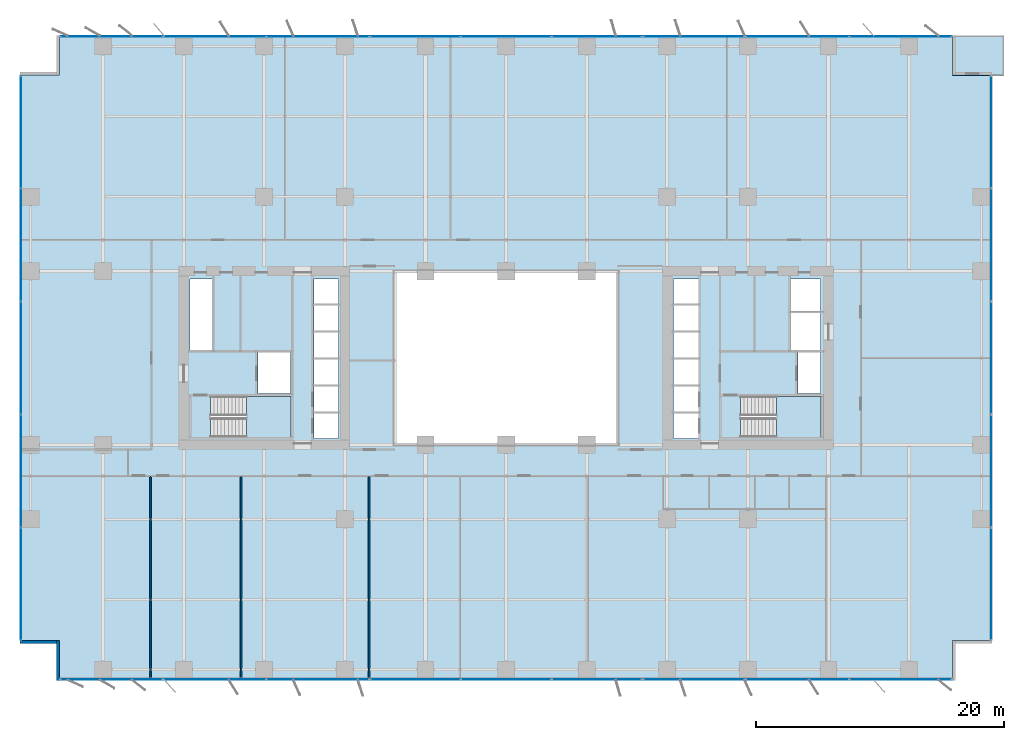
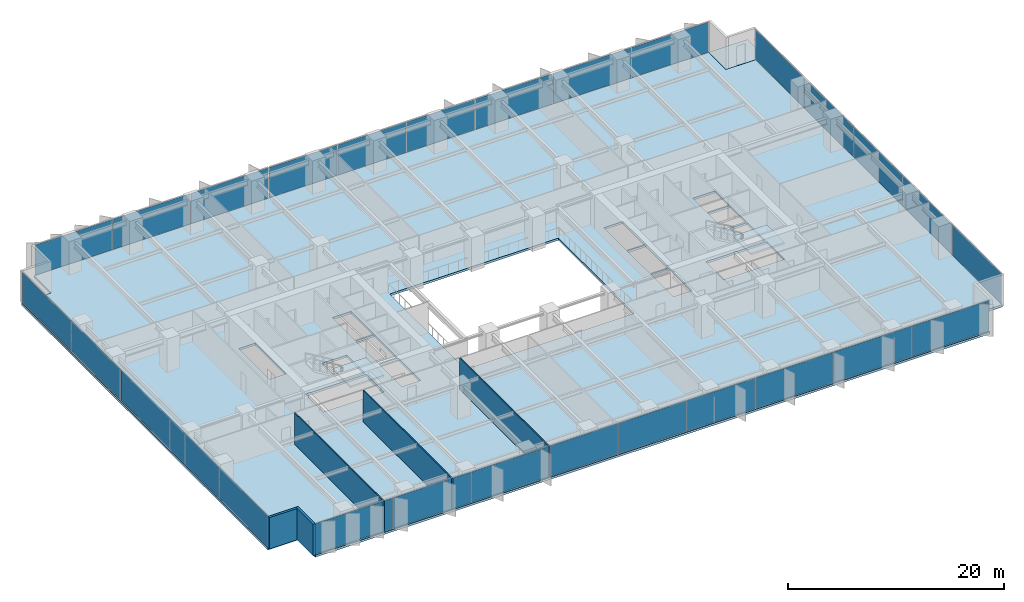
# One storey, part 12 of 20: 28 plates, 5 walls, 4 slabs, 10 elements without a shape of their own.
"""IFC4 building model written with IfcOpenShell, lengths in metres."""

from ifc_helpers import new_model, si_unit, direction, frame, frame_2d, origin, origin_2d, place, context, subcontext, project, spatial, polyline, rectangle, outline, extrude, material, layer, layer_set, type_object, element, aggregate, save


model = new_model("IFC4")

# Units and contexts
model_context = context("Model", 3, precision=1e-05, world=origin(), true_north=direction((0.0, 1.0)))
body_context = subcontext(model_context, "Body", "Model", "MODEL_VIEW")
ifc_project = project(units=[si_unit("LENGTHUNIT", "METRE"), si_unit("AREAUNIT", "SQUARE_METRE"), si_unit("VOLUMEUNIT", "CUBIC_METRE"), si_unit("PLANEANGLEUNIT", "RADIAN"), si_unit("MASSUNIT", "GRAM", prefix="KILO")], contexts=[model_context])

# Site, building, storey
site_placement = place(None, origin())
site = spatial("IfcSite", under=ifc_project, at=site_placement, CompositionType="ELEMENT")
building_placement = place(site_placement, origin())
building = spatial("IfcBuilding", under=site, at=building_placement, Name="Putna Gate Headquarters", CompositionType="ELEMENT")
storey_placement = place(building_placement, frame((0.0, 0.0, 62.0)))
storey = spatial("IfcBuildingStorey", under=building, at=storey_placement, Name="L14", CompositionType="ELEMENT", Elevation=62.0)

# Stair, slab
ifc_material_1 = material(Name="Concrete C40/50", Category="concrete")
stair_type_1 = type_object("IfcStairType", Name="STAIR-ST1", PredefinedType="HALF_TURN_STAIR", material=ifc_material_1)
stair_1_placement = place(storey_placement, origin())
stair_1 = element("IfcStair", 1, at=stair_1_placement, inside=storey, type_object=stair_type_1, Name="L14 West Core Exit Stair ST1", PredefinedType="HALF_TURN_STAIR")
ifc_layer_1 = layer(ifc_material_1, 0.199951171875)
ifc_layer_set_1 = layer_set([ifc_layer_1], Name="Concrete C40/50")
slab_type_1 = type_object("IfcSlabType", Name="LANDING-ST1", PredefinedType="LANDING", material=ifc_layer_set_1)
slab_1_placement = place(storey_placement, frame((0.0, 0.0, 1.699951171875)))
slab_1 = element("IfcSlab", 2, at=slab_1_placement, type_object=slab_type_1, Name="ST1 landing 1", PredefinedType="LANDING", context=body_context, shape_type="SweptSolid", body=[
    extrude(outline(polyline([(18.050048828125, 19.60009765625), (21.64990234375, 19.60009765625), (21.64990234375, 22.89990234375), (18.050048828125, 22.89990234375), (18.050048828125, 19.60009765625)])), origin(), (0.0, 0.0, 1.0), 0.199951171875),
])
aggregate(stair_1, [slab_1])

stair_type_2 = type_object("IfcStairType", Name="STAIR-ST2", PredefinedType="HALF_TURN_STAIR", material=ifc_material_1)
stair_2_placement = place(storey_placement, origin())
stair_2 = element("IfcStair", 3, at=stair_2_placement, inside=storey, type_object=stair_type_2, Name="L14 East Core Exit Stair ST2", PredefinedType="HALF_TURN_STAIR")
ifc_layer_2 = layer(ifc_material_1, 0.199951171875)
ifc_layer_set_2 = layer_set([ifc_layer_2], Name="Concrete C40/50")
slab_type_2 = type_object("IfcSlabType", Name="LANDING-ST2", PredefinedType="LANDING", material=ifc_layer_set_2)
slab_2_placement = place(storey_placement, frame((0.0, 0.0, 1.699951171875)))
slab_2 = element("IfcSlab", 4, at=slab_2_placement, type_object=slab_type_2, Name="ST2 landing 1", PredefinedType="LANDING", context=body_context, shape_type="SweptSolid", body=[
    extrude(outline(polyline([(60.800048828125, 19.60009765625), (64.39990234375, 19.60009765625), (64.39990234375, 22.89990234375), (60.800048828125, 22.89990234375), (60.800048828125, 19.60009765625)])), origin(), (0.0, 0.0, 1.0), 0.199951171875),
])
aggregate(stair_2, [slab_2])

# Curtain wall, plates
ifc_material_2 = material(Name="Anodised bronze aluminium curtain wall", Category="aluminium")
ifc_layer_3 = layer(ifc_material_2, 0.179931640625)
ifc_layer_set_3 = layer_set([ifc_layer_3], Name="Anodised bronze aluminium curtain wall")
curtain_wall_type_1 = type_object("IfcCurtainWallType", Name="CW-SYS-Z1", PredefinedType="USERDEFINED", material=ifc_layer_set_3)
curtain_wall_1_placement = place(storey_placement, origin())
curtain_wall_1 = element("IfcCurtainWall", 5, at=curtain_wall_1_placement, inside=storey, type_object=curtain_wall_type_1, Name="L14 South West Curtain Wall", ObjectType="STICK CURTAIN WALL", PredefinedType="USERDEFINED")
ifc_material_3 = material(Name="Solar-control triple low-E glass", Category="glass")
ifc_layer_4 = layer(ifc_material_3, 0.031982421875)
ifc_layer_set_4 = layer_set([ifc_layer_4], Name="Solar-control triple low-E glass")
plate_type_1 = type_object("IfcPlateType", Name="PAN-CWP-1", PredefinedType="CURTAIN_PANEL", material=ifc_layer_set_4)
plate_1_placement = place(storey_placement, frame((7.18408203125, 0.080078125, 0.06494140625), z_axis=(0.0, 0.0, 1.0), x_axis=(1.0, 0.0, 0.0)))
plate_1 = element("IfcPlate", 6, at=plate_1_placement, type_object=plate_type_1, Name="CWS-1 panel 1.1", PredefinedType="CURTAIN_PANEL", context=body_context, shape_type="SweptSolid", body=[
    extrude(rectangle(XDim=8.228271484375, YDim=0.031982421875, at=origin_2d()), origin(), (0.0, 0.0, 1.0), 3.419921875),
])
plate_2_placement = place(storey_placement, frame((15.5, 0.080078125, 0.06494140625), z_axis=(0.0, 0.0, 1.0), x_axis=(1.0, 0.0, 0.0)))
plate_2 = element("IfcPlate", 7, at=plate_2_placement, type_object=plate_type_1, Name="CWS-1 panel 2.1", PredefinedType="CURTAIN_PANEL", context=body_context, shape_type="SweptSolid", body=[
    extrude(rectangle(XDim=8.263427734375, YDim=0.031982421875, at=origin_2d()), origin(), (0.0, 0.0, 1.0), 3.419921875),
])
plate_3_placement = place(storey_placement, frame((23.81591796875, 0.080078125, 0.06494140625), z_axis=(0.0, 0.0, 1.0), x_axis=(1.0, 0.0, 0.0)))
plate_3 = element("IfcPlate", 8, at=plate_3_placement, type_object=plate_type_1, Name="CWS-1 panel 3.1", PredefinedType="CURTAIN_PANEL", context=body_context, shape_type="SweptSolid", body=[
    extrude(rectangle(XDim=8.228271484375, YDim=0.031982421875, at=origin_2d()), origin(), (0.0, 0.0, 1.0), 3.419921875),
])
aggregate(curtain_wall_1, [plate_1, plate_2, plate_3])

curtain_wall_2_placement = place(storey_placement, origin())
curtain_wall_2 = element("IfcCurtainWall", 9, at=curtain_wall_2_placement, inside=storey, type_object=curtain_wall_type_1, Name="L14 South East Curtain Wall", ObjectType="STICK CURTAIN WALL", PredefinedType="USERDEFINED")
plate_4_placement = place(storey_placement, frame((54.18408203125, 0.080078125, 0.06494140625), z_axis=(0.0, 0.0, 1.0), x_axis=(1.0, 0.0, 0.0)))
plate_4 = element("IfcPlate", 10, at=plate_4_placement, type_object=plate_type_1, Name="CWS-1 panel 1.1", PredefinedType="CURTAIN_PANEL", context=body_context, shape_type="SweptSolid", body=[
    extrude(rectangle(XDim=8.228271484375, YDim=0.031982421875, at=origin_2d()), origin(), (0.0, 0.0, 1.0), 3.419921875),
])
plate_5_placement = place(storey_placement, frame((62.5, 0.080078125, 0.06494140625), z_axis=(0.0, 0.0, 1.0), x_axis=(1.0, 0.0, 0.0)))
plate_5 = element("IfcPlate", 11, at=plate_5_placement, type_object=plate_type_1, Name="CWS-1 panel 2.1", PredefinedType="CURTAIN_PANEL", context=body_context, shape_type="SweptSolid", body=[
    extrude(rectangle(XDim=8.263427734375, YDim=0.031982421875, at=origin_2d()), origin(), (0.0, 0.0, 1.0), 3.419921875),
])
plate_6_placement = place(storey_placement, frame((70.81591796875, 0.080078125, 0.06494140625), z_axis=(0.0, 0.0, 1.0), x_axis=(1.0, 0.0, 0.0)))
plate_6 = element("IfcPlate", 12, at=plate_6_placement, type_object=plate_type_1, Name="CWS-1 panel 3.1", PredefinedType="CURTAIN_PANEL", context=body_context, shape_type="SweptSolid", body=[
    extrude(rectangle(XDim=8.228271484375, YDim=0.031982421875, at=origin_2d()), origin(), (0.0, 0.0, 1.0), 3.419921875),
])
aggregate(curtain_wall_2, [plate_4, plate_5, plate_6])

curtain_wall_3_placement = place(storey_placement, origin())
curtain_wall_3 = element("IfcCurtainWall", 13, at=curtain_wall_3_placement, inside=storey, type_object=curtain_wall_type_1, Name="L14 North West Curtain Wall", ObjectType="STICK CURTAIN WALL", PredefinedType="USERDEFINED")
plate_7_placement = place(storey_placement, frame((7.18408203125, 51.919921875, 0.06494140625), z_axis=(0.0, 0.0, 1.0), x_axis=(1.0, 0.0, 0.0)))
plate_7 = element("IfcPlate", 14, at=plate_7_placement, type_object=plate_type_1, Name="CWS-1 panel 1.1", PredefinedType="CURTAIN_PANEL", context=body_context, shape_type="SweptSolid", body=[
    extrude(rectangle(XDim=8.228271484375, YDim=0.031982421875, at=origin_2d()), origin(), (0.0, 0.0, 1.0), 3.419921875),
])
plate_8_placement = place(storey_placement, frame((15.5, 51.919921875, 0.06494140625), z_axis=(0.0, 0.0, 1.0), x_axis=(1.0, 0.0, 0.0)))
plate_8 = element("IfcPlate", 15, at=plate_8_placement, type_object=plate_type_1, Name="CWS-1 panel 2.1", PredefinedType="CURTAIN_PANEL", context=body_context, shape_type="SweptSolid", body=[
    extrude(rectangle(XDim=8.263427734375, YDim=0.031982421875, at=origin_2d()), origin(), (0.0, 0.0, 1.0), 3.419921875),
])
plate_9_placement = place(storey_placement, frame((23.81591796875, 51.919921875, 0.06494140625), z_axis=(0.0, 0.0, 1.0), x_axis=(1.0, 0.0, 0.0)))
plate_9 = element("IfcPlate", 16, at=plate_9_placement, type_object=plate_type_1, Name="CWS-1 panel 3.1", PredefinedType="CURTAIN_PANEL", context=body_context, shape_type="SweptSolid", body=[
    extrude(rectangle(XDim=8.228271484375, YDim=0.031982421875, at=origin_2d()), origin(), (0.0, 0.0, 1.0), 3.419921875),
])
aggregate(curtain_wall_3, [plate_7, plate_8, plate_9])

curtain_wall_4_placement = place(storey_placement, origin())
curtain_wall_4 = element("IfcCurtainWall", 17, at=curtain_wall_4_placement, inside=storey, type_object=curtain_wall_type_1, Name="L14 North East Curtain Wall", ObjectType="STICK CURTAIN WALL", PredefinedType="USERDEFINED")
plate_10_placement = place(storey_placement, frame((54.18408203125, 51.919921875, 0.06494140625), z_axis=(0.0, 0.0, 1.0), x_axis=(1.0, 0.0, 0.0)))
plate_10 = element("IfcPlate", 18, at=plate_10_placement, type_object=plate_type_1, Name="CWS-1 panel 1.1", PredefinedType="CURTAIN_PANEL", context=body_context, shape_type="SweptSolid", body=[
    extrude(rectangle(XDim=8.228271484375, YDim=0.031982421875, at=origin_2d()), origin(), (0.0, 0.0, 1.0), 3.419921875),
])
plate_11_placement = place(storey_placement, frame((62.5, 51.919921875, 0.06494140625), z_axis=(0.0, 0.0, 1.0), x_axis=(1.0, 0.0, 0.0)))
plate_11 = element("IfcPlate", 19, at=plate_11_placement, type_object=plate_type_1, Name="CWS-1 panel 2.1", PredefinedType="CURTAIN_PANEL", context=body_context, shape_type="SweptSolid", body=[
    extrude(rectangle(XDim=8.263427734375, YDim=0.031982421875, at=origin_2d()), origin(), (0.0, 0.0, 1.0), 3.419921875),
])
plate_12_placement = place(storey_placement, frame((70.81591796875, 51.919921875, 0.06494140625), z_axis=(0.0, 0.0, 1.0), x_axis=(1.0, 0.0, 0.0)))
plate_12 = element("IfcPlate", 20, at=plate_12_placement, type_object=plate_type_1, Name="CWS-1 panel 3.1", PredefinedType="CURTAIN_PANEL", context=body_context, shape_type="SweptSolid", body=[
    extrude(rectangle(XDim=8.228271484375, YDim=0.031982421875, at=origin_2d()), origin(), (0.0, 0.0, 1.0), 3.419921875),
])
aggregate(curtain_wall_4, [plate_10, plate_11, plate_12])

curtain_wall_5_placement = place(storey_placement, origin())
curtain_wall_5 = element("IfcCurtainWall", 21, at=curtain_wall_5_placement, inside=storey, type_object=curtain_wall_type_1, Name="L14 West Curtain Wall", ObjectType="STICK CURTAIN WALL", PredefinedType="USERDEFINED")
plate_13_placement = place(storey_placement, frame((-0.1201171875, 7.777587890625, 0.06494140625), z_axis=(0.0, 0.0, 1.0), x_axis=(0.0, 1.0, 0.0)))
plate_13 = element("IfcPlate", 22, at=plate_13_placement, type_object=plate_type_1, Name="CWS-1 panel 1.1", PredefinedType="CURTAIN_PANEL", context=body_context, shape_type="SweptSolid", body=[
    extrude(rectangle(XDim=9.014892578125, YDim=0.031982421875, at=origin_2d()), origin(), (0.0, 0.0, 1.0), 3.419921875),
])
plate_14_placement = place(storey_placement, frame((-0.1201171875, 16.8798828125, 0.06494140625), z_axis=(0.0, 0.0, 1.0), x_axis=(0.0, 1.0, 0.0)))
plate_14 = element("IfcPlate", 23, at=plate_14_placement, type_object=plate_type_1, Name="CWS-1 panel 2.1", PredefinedType="CURTAIN_PANEL", context=body_context, shape_type="SweptSolid", body=[
    extrude(rectangle(XDim=9.050048828125, YDim=0.031982421875, at=origin_2d()), origin(), (0.0, 0.0, 1.0), 3.419921875),
])
plate_15_placement = place(storey_placement, frame((-0.1201171875, 26.0, 0.06494140625), z_axis=(0.0, 0.0, 1.0), x_axis=(0.0, 1.0, 0.0)))
plate_15 = element("IfcPlate", 24, at=plate_15_placement, type_object=plate_type_1, Name="CWS-1 panel 3.1", PredefinedType="CURTAIN_PANEL", context=body_context, shape_type="SweptSolid", body=[
    extrude(rectangle(XDim=9.050048828125, YDim=0.031982421875, at=origin_2d()), origin(), (0.0, 0.0, 1.0), 3.419921875),
])
plate_16_placement = place(storey_placement, frame((-0.1201171875, 35.1201171875, 0.06494140625), z_axis=(0.0, 0.0, 1.0), x_axis=(0.0, 1.0, 0.0)))
plate_16 = element("IfcPlate", 25, at=plate_16_placement, type_object=plate_type_1, Name="CWS-1 panel 4.1", PredefinedType="CURTAIN_PANEL", context=body_context, shape_type="SweptSolid", body=[
    extrude(rectangle(XDim=9.050048828125, YDim=0.031982421875, at=origin_2d()), origin(), (0.0, 0.0, 1.0), 3.419921875),
])
plate_17_placement = place(storey_placement, frame((-0.1201171875, 44.222412109375, 0.06494140625), z_axis=(0.0, 0.0, 1.0), x_axis=(0.0, 1.0, 0.0)))
plate_17 = element("IfcPlate", 26, at=plate_17_placement, type_object=plate_type_1, Name="CWS-1 panel 5.1", PredefinedType="CURTAIN_PANEL", context=body_context, shape_type="SweptSolid", body=[
    extrude(rectangle(XDim=9.014892578125, YDim=0.031982421875, at=origin_2d()), origin(), (0.0, 0.0, 1.0), 3.419921875),
])
aggregate(curtain_wall_5, [plate_13, plate_14, plate_15, plate_16, plate_17])

curtain_wall_6_placement = place(storey_placement, origin())
curtain_wall_6 = element("IfcCurtainWall", 27, at=curtain_wall_6_placement, inside=storey, type_object=curtain_wall_type_1, Name="L14 East Curtain Wall", ObjectType="STICK CURTAIN WALL", PredefinedType="USERDEFINED")
plate_18_placement = place(storey_placement, frame((78.1201171875, 7.777587890625, 0.06494140625), z_axis=(0.0, 0.0, 1.0), x_axis=(0.0, 1.0, 0.0)))
plate_18 = element("IfcPlate", 28, at=plate_18_placement, type_object=plate_type_1, Name="CWS-1 panel 1.1", PredefinedType="CURTAIN_PANEL", context=body_context, shape_type="SweptSolid", body=[
    extrude(rectangle(XDim=9.014892578125, YDim=0.031982421875, at=origin_2d()), origin(), (0.0, 0.0, 1.0), 3.419921875),
])
plate_19_placement = place(storey_placement, frame((78.1201171875, 16.8798828125, 0.06494140625), z_axis=(0.0, 0.0, 1.0), x_axis=(0.0, 1.0, 0.0)))
plate_19 = element("IfcPlate", 29, at=plate_19_placement, type_object=plate_type_1, Name="CWS-1 panel 2.1", PredefinedType="CURTAIN_PANEL", context=body_context, shape_type="SweptSolid", body=[
    extrude(rectangle(XDim=9.050048828125, YDim=0.031982421875, at=origin_2d()), origin(), (0.0, 0.0, 1.0), 3.419921875),
])
plate_20_placement = place(storey_placement, frame((78.1201171875, 26.0, 0.06494140625), z_axis=(0.0, 0.0, 1.0), x_axis=(0.0, 1.0, 0.0)))
plate_20 = element("IfcPlate", 30, at=plate_20_placement, type_object=plate_type_1, Name="CWS-1 panel 3.1", PredefinedType="CURTAIN_PANEL", context=body_context, shape_type="SweptSolid", body=[
    extrude(rectangle(XDim=9.050048828125, YDim=0.031982421875, at=origin_2d()), origin(), (0.0, 0.0, 1.0), 3.419921875),
])
plate_21_placement = place(storey_placement, frame((78.1201171875, 35.1201171875, 0.06494140625), z_axis=(0.0, 0.0, 1.0), x_axis=(0.0, 1.0, 0.0)))
plate_21 = element("IfcPlate", 31, at=plate_21_placement, type_object=plate_type_1, Name="CWS-1 panel 4.1", PredefinedType="CURTAIN_PANEL", context=body_context, shape_type="SweptSolid", body=[
    extrude(rectangle(XDim=9.050048828125, YDim=0.031982421875, at=origin_2d()), origin(), (0.0, 0.0, 1.0), 3.419921875),
])
plate_22_placement = place(storey_placement, frame((78.1201171875, 44.222412109375, 0.06494140625), z_axis=(0.0, 0.0, 1.0), x_axis=(0.0, 1.0, 0.0)))
plate_22 = element("IfcPlate", 32, at=plate_22_placement, type_object=plate_type_1, Name="CWS-1 panel 5.1", PredefinedType="CURTAIN_PANEL", context=body_context, shape_type="SweptSolid", body=[
    extrude(rectangle(XDim=9.014892578125, YDim=0.031982421875, at=origin_2d()), origin(), (0.0, 0.0, 1.0), 3.419921875),
])
aggregate(curtain_wall_6, [plate_18, plate_19, plate_20, plate_21, plate_22])

ifc_layer_5 = layer(ifc_material_2, 0.179931640625)
ifc_layer_set_5 = layer_set([ifc_layer_5], Name="Anodised bronze aluminium curtain wall")
curtain_wall_type_2 = type_object("IfcCurtainWallType", Name="CW-SYS-ATR", PredefinedType="USERDEFINED", material=ifc_layer_set_5)
curtain_wall_7_placement = place(storey_placement, origin())
curtain_wall_7 = element("IfcCurtainWall", 33, at=curtain_wall_7_placement, inside=storey, type_object=curtain_wall_type_2, Name="L14 South Atrium Clear Glazing", ObjectType="ATRIUM GLAZING", PredefinedType="USERDEFINED")
ifc_material_4 = material(Name="Clear low-iron triple glazing", Category="glass")
ifc_layer_6 = layer(ifc_material_4, 0.0400390625)
ifc_layer_set_6 = layer_set([ifc_layer_6], Name="Clear low-iron triple glazing")
plate_type_2 = type_object("IfcPlateType", Name="PAN-CWP-AT", PredefinedType="CURTAIN_PANEL", material=ifc_layer_set_6)
plate_23_placement = place(storey_placement, frame((31.68408203125, 0.080078125, 0.06982421875), z_axis=(0.0, 0.0, 1.0), x_axis=(1.0, 0.0, 0.0)))
plate_23 = element("IfcPlate", 34, at=plate_23_placement, type_object=plate_type_2, Name="CWS-AT panel 1.1", PredefinedType="CURTAIN_PANEL", context=body_context, shape_type="SweptSolid", body=[
    extrude(rectangle(XDim=7.228271484375, YDim=0.0400390625, at=origin_2d()), origin(), (0.0, 0.0, 1.0), 3.409912109375),
])
plate_24_placement = place(storey_placement, frame((39.0, 0.080078125, 0.06982421875), z_axis=(0.0, 0.0, 1.0), x_axis=(1.0, 0.0, 0.0)))
plate_24 = element("IfcPlate", 35, at=plate_24_placement, type_object=plate_type_2, Name="CWS-AT panel 2.1", PredefinedType="CURTAIN_PANEL", context=body_context, shape_type="SweptSolid", body=[
    extrude(rectangle(XDim=7.263427734375, YDim=0.0400390625, at=origin_2d()), origin(), (0.0, 0.0, 1.0), 3.409912109375),
])
plate_25_placement = place(storey_placement, frame((46.31591796875, 0.080078125, 0.06982421875), z_axis=(0.0, 0.0, 1.0), x_axis=(1.0, 0.0, 0.0)))
plate_25 = element("IfcPlate", 36, at=plate_25_placement, type_object=plate_type_2, Name="CWS-AT panel 3.1", PredefinedType="CURTAIN_PANEL", context=body_context, shape_type="SweptSolid", body=[
    extrude(rectangle(XDim=7.228271484375, YDim=0.0400390625, at=origin_2d()), origin(), (0.0, 0.0, 1.0), 3.409912109375),
])
aggregate(curtain_wall_7, [plate_23, plate_24, plate_25])

curtain_wall_8_placement = place(storey_placement, origin())
curtain_wall_8 = element("IfcCurtainWall", 37, at=curtain_wall_8_placement, inside=storey, type_object=curtain_wall_type_2, Name="L14 North Atrium Clear Glazing", ObjectType="ATRIUM GLAZING", PredefinedType="USERDEFINED")
plate_26_placement = place(storey_placement, frame((31.68408203125, 51.919921875, 0.06982421875), z_axis=(0.0, 0.0, 1.0), x_axis=(1.0, 0.0, 0.0)))
plate_26 = element("IfcPlate", 38, at=plate_26_placement, type_object=plate_type_2, Name="CWS-AT panel 1.1", PredefinedType="CURTAIN_PANEL", context=body_context, shape_type="SweptSolid", body=[
    extrude(rectangle(XDim=7.228271484375, YDim=0.0400390625, at=origin_2d()), origin(), (0.0, 0.0, 1.0), 3.409912109375),
])
plate_27_placement = place(storey_placement, frame((39.0, 51.919921875, 0.06982421875), z_axis=(0.0, 0.0, 1.0), x_axis=(1.0, 0.0, 0.0)))
plate_27 = element("IfcPlate", 39, at=plate_27_placement, type_object=plate_type_2, Name="CWS-AT panel 2.1", PredefinedType="CURTAIN_PANEL", context=body_context, shape_type="SweptSolid", body=[
    extrude(rectangle(XDim=7.263427734375, YDim=0.0400390625, at=origin_2d()), origin(), (0.0, 0.0, 1.0), 3.409912109375),
])
plate_28_placement = place(storey_placement, frame((46.31591796875, 51.919921875, 0.06982421875), z_axis=(0.0, 0.0, 1.0), x_axis=(1.0, 0.0, 0.0)))
plate_28 = element("IfcPlate", 40, at=plate_28_placement, type_object=plate_type_2, Name="CWS-AT panel 3.1", PredefinedType="CURTAIN_PANEL", context=body_context, shape_type="SweptSolid", body=[
    extrude(rectangle(XDim=7.228271484375, YDim=0.0400390625, at=origin_2d()), origin(), (0.0, 0.0, 1.0), 3.409912109375),
])
aggregate(curtain_wall_8, [plate_26, plate_27, plate_28])

# Slabs
ifc_layer_7 = layer(ifc_material_1, 0.179931640625)
ifc_layer_set_7 = layer_set([ifc_layer_7], Name="Concrete C40/50")
slab_type_3 = type_object("IfcSlabType", Name="SLAB-TERRACE-180", PredefinedType="FLOOR", material=ifc_layer_set_7)
slab_3_placement = place(storey_placement, frame((0.0, 0.0, -0.179931640625)))
element("IfcSlab", 41, at=slab_3_placement, inside=storey, type_object=slab_type_3, Name="L14 Spiral Sky-Garden Terrace Slab (NE)", PredefinedType="FLOOR", context=body_context, shape_type="SweptSolid", body=[
    extrude(outline(polyline([(74.991943359375, 48.7919921875), (79.14990234375, 48.7919921875), (79.14990234375, 52.0), (74.991943359375, 52.0), (74.991943359375, 48.7919921875)])), origin(), (0.0, 0.0, 1.0), 0.179931640625),
])
ifc_layer_8 = layer(ifc_material_1, 0.25)
ifc_layer_set_8 = layer_set([ifc_layer_8], Name="Concrete C40/50")
slab_type_4 = type_object("IfcSlabType", Name="SLAB-Z1-250", PredefinedType="FLOOR", material=ifc_layer_set_8)
slab_4_placement = place(storey_placement, frame((0.0, 0.0, -0.25)))
element("IfcSlab", 42, at=slab_4_placement, inside=storey, type_object=slab_type_4, Name="L14 Composite Floor Slab", PredefinedType="FLOOR", context=body_context, shape_type="SweptSolid", body=[
    extrude(outline(polyline([(3.0, 0.0), (75.0, 0.0), (75.0, 3.199951171875), (78.199951171875, 3.199951171875), (78.199951171875, 48.800048828125), (75.0, 48.800048828125), (75.0, 52.0), (3.0, 52.0), (3.0, 48.800048828125), (-0.199951171875, 48.800048828125), (-0.199951171875, 3.199951171875), (3.0, 3.199951171875), (3.0, 0.0)]), holes=[polyline([(15.1650390625, 19.60009765625), (21.64990234375, 19.60009765625), (21.64990234375, 22.89990234375), (15.1650390625, 22.89990234375), (15.1650390625, 19.60009765625)]), polyline([(57.9150390625, 19.60009765625), (64.39990234375, 19.60009765625), (64.39990234375, 22.89990234375), (57.9150390625, 22.89990234375), (57.9150390625, 19.60009765625)]), polyline([(13.52001953125, 26.659912109375), (15.280029296875, 26.659912109375), (15.280029296875, 32.35009765625), (13.52001953125, 32.35009765625), (13.52001953125, 26.659912109375)]), polyline([(61.969970703125, 29.780029296875), (64.35009765625, 29.780029296875), (64.35009765625, 32.35009765625), (61.969970703125, 32.35009765625), (61.969970703125, 29.780029296875)]), polyline([(18.97998046875, 23.1201171875), (21.6201171875, 23.1201171875), (21.6201171875, 26.4599609375), (18.97998046875, 26.4599609375), (18.97998046875, 23.1201171875)]), polyline([(62.52001953125, 23.1201171875), (64.35009765625, 23.1201171875), (64.35009765625, 26.4599609375), (62.52001953125, 26.4599609375), (62.52001953125, 23.1201171875)]), polyline([(61.969970703125, 26.659912109375), (64.35009765625, 26.659912109375), (64.35009765625, 29.6201171875), (61.969970703125, 29.6201171875), (61.969970703125, 26.659912109375)]), polyline([(23.5, 19.52001953125), (25.5, 19.52001953125), (25.5, 23.699951171875), (23.5, 23.699951171875), (23.5, 19.52001953125)]), polyline([(52.47998046875, 19.52001953125), (54.5, 19.52001953125), (54.5, 23.699951171875), (52.47998046875, 23.699951171875), (52.47998046875, 19.52001953125)]), polyline([(23.5, 23.860107421875), (25.5, 23.860107421875), (25.5, 28.0400390625), (23.5, 28.0400390625), (23.5, 23.860107421875)]), polyline([(52.47998046875, 23.860107421875), (54.5, 23.860107421875), (54.5, 28.0400390625), (52.47998046875, 28.0400390625), (52.47998046875, 23.860107421875)]), polyline([(23.5, 28.199951171875), (25.5, 28.199951171875), (25.5, 32.35009765625), (23.5, 32.35009765625), (23.5, 28.199951171875)]), polyline([(52.47998046875, 28.199951171875), (54.5, 28.199951171875), (54.5, 32.35009765625), (52.47998046875, 32.35009765625), (52.47998046875, 28.199951171875)]), polyline([(30.0, 19.0), (48.0, 19.0), (48.0, 33.0), (30.0, 33.0), (30.0, 19.0)])]), origin(), (0.0, 0.0, 1.0), 0.25),
])

# Walls
ifc_material_5 = material(Name="Precast concrete C40/50", Category="concrete")
ifc_layer_9 = layer(ifc_material_5, 0.239990234375)
ifc_layer_set_9 = layer_set([ifc_layer_9], Name="Precast concrete C40/50")
wall_type_1 = type_object("IfcWallType", Name="WALL-EXT-TERR-240", PredefinedType="STANDARD", material=ifc_layer_set_9)
for number, where, z_axis, x_axis, name in (
    (43, (2.8798828125, 0.0, 0.0), (0.0, 0.0, 1.0), (0.0, 1.0, 0.0), "L14 Corner Notch Return Wall SW-V"),
    (44, (3.0, 3.080078125, 0.0), (0.0, 0.0, 1.0), (-1.0, 0.0, 0.0), "L14 Corner Notch Return Wall SW-H"),
):
    element("IfcWall", number, at=place(storey_placement, frame(where, z_axis=z_axis, x_axis=x_axis)), inside=storey, type_object=wall_type_1, Name=name, PredefinedType="STANDARD", context=body_context, shape_type="SweptSolid", body=[
        extrude(rectangle(XDim=3.199951171875, YDim=0.239990234375, at=frame_2d((1.60009765625, 0.0))), origin(), (0.0, 0.0, 1.0), 3.550048828125),
    ])
ifc_material_6 = material(Name="Acoustic gypsum board on metal stud")
ifc_layer_10 = layer(ifc_material_6, 0.1201171875)
ifc_layer_set_10 = layer_set([ifc_layer_10], Name="Acoustic gypsum board on metal stud")
wall_type_2 = type_object("IfcWallType", Name="WALL-PART-120", PredefinedType="PARTITIONING", material=ifc_layer_set_10)
for number, where, z_axis, x_axis, name in (
    (45, (10.30908203125, 0.02001953125, 0.0), (0.0, 0.0, 1.0), (0.0, 1.0, 0.0), "L14 Interior Wall PART-L14-SB-DIV-01"),
    (46, (17.62548828125, 0.02001953125, 0.0), (0.0, 0.0, 1.0), (0.0, 1.0, 0.0), "L14 Interior Wall PART-L14-SB-DIV-02"),
    (47, (27.95458984375, 0.02001953125, 0.0), (0.0, 0.0, 1.0), (0.0, 1.0, 0.0), "L14 Interior Wall PART-L14-SB-DIV-03"),
):
    element("IfcWall", number, at=place(storey_placement, frame(where, z_axis=z_axis, x_axis=x_axis)), inside=storey, type_object=wall_type_2, Name=name, PredefinedType="PARTITIONING", context=body_context, shape_type="SweptSolid", body=[
        extrude(rectangle(XDim=16.419921875, YDim=0.1201171875, at=frame_2d((8.2099609375, 0.0))), origin(), (0.0, 0.0, 1.0), 3.550048828125),
    ])

save(model, "model.ifc")
